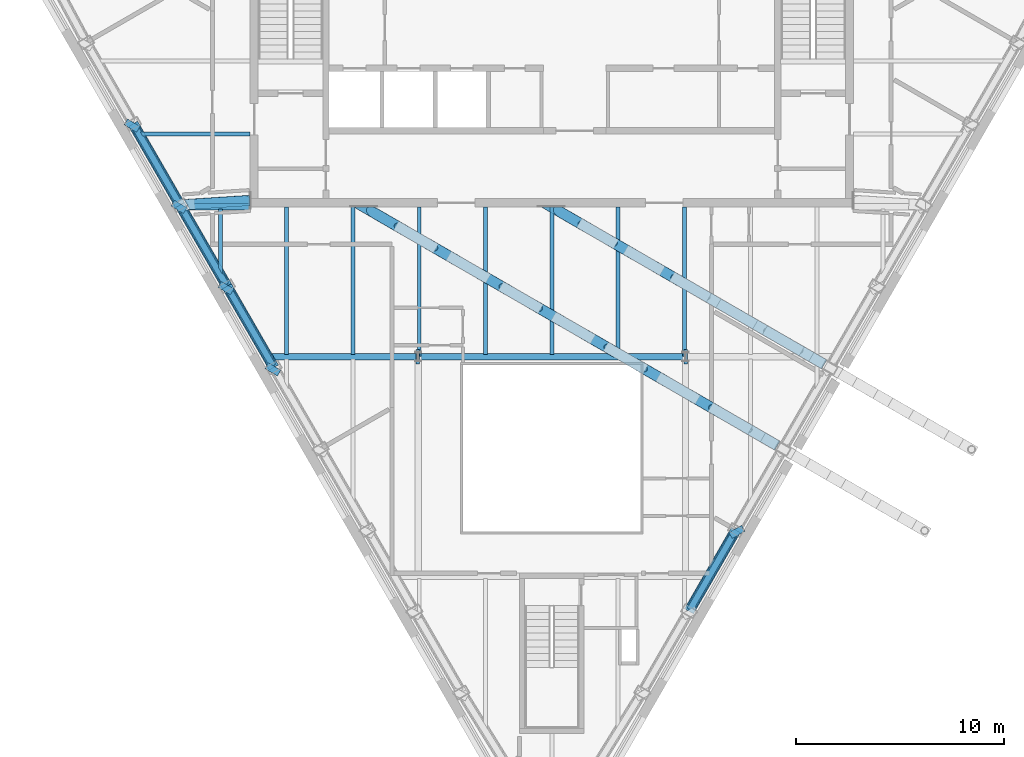
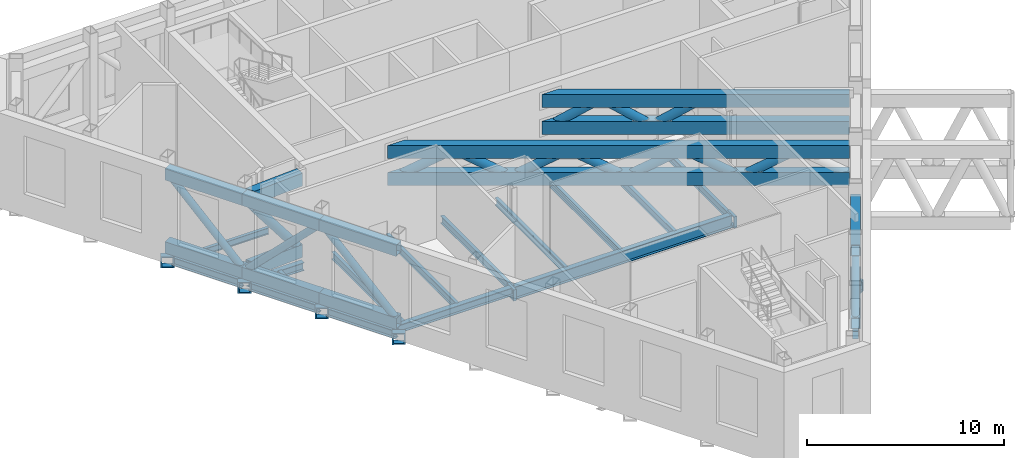
# One storey, part 3 of 14: 29 members, 23 beams.
"""IFC4 building model written with IfcOpenShell, lengths in metres."""

from ifc_helpers import new_model, si_unit, direction, frame, origin, origin_2d, place, context, subcontext, project, spatial, hollow_rectangle, hollow_circle, i_section, extrude, clip, halfspace, material, material_profile, profile_set, type_object, element, save


model = new_model("IFC4")

# Units and contexts
model_context = context("Model", 3, precision=1e-05, world=origin(), true_north=direction((0.0, 1.0)))
body_context = subcontext(model_context, "Body", "Model", "MODEL_VIEW")
ifc_project = project(units=[si_unit("LENGTHUNIT", "METRE"), si_unit("AREAUNIT", "SQUARE_METRE"), si_unit("VOLUMEUNIT", "CUBIC_METRE"), si_unit("PLANEANGLEUNIT", "RADIAN"), si_unit("MASSUNIT", "GRAM", prefix="KILO")], contexts=[model_context])

# Site, building, storey
site_placement = place(None, origin())
site = spatial("IfcSite", under=ifc_project, at=site_placement, CompositionType="ELEMENT")
building_placement = place(site_placement, origin())
building = spatial("IfcBuilding", under=site, at=building_placement, Name="Njiva Tower", CompositionType="ELEMENT")
storey_placement = place(building_placement, frame((0.0, 0.0, 292.2)))
storey = spatial("IfcBuildingStorey", under=building, at=storey_placement, Name="L67", CompositionType="ELEMENT", Elevation=292.2)

# Beams
ifc_material_1 = material(Name="Steel S355 J2", Category="steel")
ifc_material_profile_1 = material_profile(ifc_material_1, hollow_rectangle(XDim=0.7, YDim=0.7, WallThickness=0.08, at=origin_2d()), Name="BOX 700x700x80")
ifc_profile_set_1 = profile_set([ifc_material_profile_1], Name="Steel S355 J2")
beam_type_1 = type_object("IfcBeamType", Name="B19 Column jog beam BOX 700x700x80", PredefinedType="BEAM", material=ifc_profile_set_1)
for number, where, z_axis, x_axis, name in (
    (1, (-20.245, 7.759, -0.55), (0.511321392938, 0.859389570058, 0.0), (-0.859389570058, 0.511321392938, 0.0), "Column jog beam T5-B015"),
    (2, (-17.991, 3.856, -0.55), (0.511321392938, 0.859389570058, 0.0), (-0.859389570058, 0.511321392938, 0.0), "Column jog beam T5-B016"),
):
    element("IfcBeam", number, at=place(storey_placement, frame(where, z_axis=z_axis, x_axis=x_axis)), inside=storey, type_object=beam_type_1, Name=name, PredefinedType="BEAM", context=body_context, shape_type="SweptSolid", body=[
        extrude(hollow_rectangle(XDim=0.7, YDim=0.7, WallThickness=0.08, at=origin_2d()), origin(), (0.0, 0.0, 1.0), 0.3246),
    ])
beam_1_placement = place(storey_placement, frame((-15.736, -0.048, -0.55), z_axis=(0.501764157718, 0.865004468214, 0.0), x_axis=(-0.865004468214, 0.501764157718, 0.0)))
element("IfcBeam", 3, at=beam_1_placement, inside=storey, type_object=beam_type_1, Name="Column jog beam T5-B017", PredefinedType="BEAM", context=body_context, shape_type="SweptSolid", body=[
    extrude(hollow_rectangle(XDim=0.7, YDim=0.7, WallThickness=0.08, at=origin_2d()), origin(), (0.0, 0.0, 1.0), 0.3249),
])
beam_2_placement = place(storey_placement, frame((-13.482, -3.952, -0.55), z_axis=(0.498124460568, 0.867105542471, 0.0), x_axis=(-0.867105542471, 0.498124460568, 0.0)))
element("IfcBeam", 4, at=beam_2_placement, inside=storey, type_object=beam_type_1, Name="Column jog beam T5-B018", PredefinedType="BEAM", context=body_context, shape_type="SweptSolid", body=[
    extrude(hollow_rectangle(XDim=0.7, YDim=0.7, WallThickness=0.08, at=origin_2d()), origin(), (0.0, 0.0, 1.0), 0.3252),
])
beam_3_placement = place(storey_placement, frame((8.975, -11.759, -0.55), z_axis=(-0.496799306689, 0.867865455513, 0.0), x_axis=(-0.867865455513, -0.496799306689, 0.0)))
element("IfcBeam", 5, at=beam_3_placement, inside=storey, type_object=beam_type_1, Name="Column jog beam T5-B029", PredefinedType="BEAM", context=body_context, shape_type="SweptSolid", body=[
    extrude(hollow_rectangle(XDim=0.7, YDim=0.7, WallThickness=0.08, at=origin_2d()), origin(), (0.0, 0.0, 1.0), 0.3261),
])
for number, where, z_axis, x_axis, name in (
    (6, (6.53, -3.2, -0.55), (-1.0, 0.0, 0.0), (0.0, -1.0, 0.0), "Column jog beam T5-B027"),
    (7, (-6.53, -3.2, -0.55), (1.0, 0.0, 0.0), (0.0, 1.0, 0.0), "Column jog beam T5-B022"),
):
    element("IfcBeam", number, at=place(storey_placement, frame(where, z_axis=z_axis, x_axis=x_axis)), inside=storey, type_object=beam_type_1, Name=name, PredefinedType="BEAM", context=body_context, shape_type="SweptSolid", body=[
        extrude(hollow_rectangle(XDim=0.7, YDim=0.7, WallThickness=0.08, at=origin_2d()), origin(), (0.0, 0.0, 1.0), 0.17),
    ])
ifc_material_profile_2 = material_profile(ifc_material_1, i_section(OverallWidth=0.3, OverallDepth=0.49, WebThickness=0.012, FlangeThickness=0.023, at=origin_2d()), Name="HEA 500")
ifc_profile_set_2 = profile_set([ifc_material_profile_2], Name="Steel S355 J2")
beam_type_2 = type_object("IfcBeamType", Name="B48 Short-span spandrel beam HEA 500", PredefinedType="SPANDREL", material=ifc_profile_set_2)
beam_4_placement = place(storey_placement, frame((-19.96, 7.727, -0.445), z_axis=(0.500066662559, -0.865986912717, 0.0), x_axis=(0.865986912717, 0.500066662559, 0.0)))
element("IfcBeam", 8, at=beam_4_placement, inside=storey, type_object=beam_type_2, Name="Short-span spandrel beam T5-B065", PredefinedType="SPANDREL", context=body_context, shape_type="SweptSolid", body=[
    extrude(i_section(OverallWidth=0.3, OverallDepth=0.49, WebThickness=0.012, FlangeThickness=0.023, at=origin_2d()), origin(), (0.0, 0.0, 1.0), 4.1075),
])
for number, where, z_axis, x_axis, name in (
    (9, (-17.706, 3.824, -0.445), (0.499961250474, -0.866047774678, 0.0), (0.866047774678, 0.499961250474, 0.0), "Short-span spandrel beam T5-B067"),
    (10, (-15.452, -0.08, -0.445), (0.499961250474, -0.866047774678, 0.0), (0.866047774678, 0.499961250474, 0.0), "Short-span spandrel beam T5-B068"),
    (11, (6.637, -15.349, -0.445), (0.499961250474, 0.866047774678, 0.0), (-0.866047774678, 0.499961250474, 0.0), "Short-span spandrel beam T5-B082"),
):
    element("IfcBeam", number, at=place(storey_placement, frame(where, z_axis=z_axis, x_axis=x_axis)), inside=storey, type_object=beam_type_2, Name=name, PredefinedType="SPANDREL", context=body_context, shape_type="SweptSolid", body=[
        extrude(i_section(OverallWidth=0.3, OverallDepth=0.49, WebThickness=0.012, FlangeThickness=0.023, at=origin_2d()), origin(), (0.0, 0.0, 1.0), 4.1083),
    ])
ifc_material_profile_3 = material_profile(ifc_material_1, i_section(OverallWidth=0.3, OverallDepth=0.49, WebThickness=0.012, FlangeThickness=0.023, at=origin_2d()), Name="HEA 500")
ifc_profile_set_3 = profile_set([ifc_material_profile_3], Name="Steel S355 J2")
beam_type_3 = type_object("IfcBeamType", Name="B49 Floor girder HEA 500", PredefinedType="BEAM", material=ifc_profile_set_3)
beam_5_placement = place(storey_placement, frame((-13.643, -3.2, -0.445), z_axis=(1.0, 0.0, 0.0), x_axis=(0.0, 1.0, 0.0)))
element("IfcBeam", 12, at=beam_5_placement, inside=storey, type_object=beam_type_3, Name="Floor girder T5-B010", PredefinedType="BEAM", context=body_context, shape_type="Clipping", body=[
    clip(extrude(i_section(OverallWidth=0.3, OverallDepth=0.49, WebThickness=0.012, FlangeThickness=0.023, at=origin_2d()), origin(), (0.0, 0.0, 1.0), 7.223), halfspace(frame((-0.025, 0.0, 0.1217), z_axis=(-0.499998009787, 0.0, -0.866026552831), x_axis=(0.0, -1.0, 0.0)), False)),
])
ifc_material_profile_4 = material_profile(ifc_material_1, i_section(OverallWidth=0.3, OverallDepth=0.49, WebThickness=0.012, FlangeThickness=0.023, at=origin_2d()), Name="HEA 500")
ifc_profile_set_4 = profile_set([ifc_material_profile_4], Name="Steel S355 J2")
beam_type_4 = type_object("IfcBeamType", Name="B50 Short-span floor girder HEA 500", PredefinedType="BEAM", material=ifc_profile_set_4)
beam_6_placement = place(storey_placement, frame((-17.774, 4.0, -0.445), z_axis=(1.0, 0.0, 0.0), x_axis=(0.0, 1.0, 0.0)))
element("IfcBeam", 13, at=beam_6_placement, inside=storey, type_object=beam_type_4, Name="Short-span floor girder T5-B009", PredefinedType="BEAM", context=body_context, shape_type="Clipping", body=[
    clip(extrude(i_section(OverallWidth=0.3, OverallDepth=0.49, WebThickness=0.012, FlangeThickness=0.023, at=origin_2d()), origin(), (0.0, 0.0, 1.0), 3.274), halfspace(frame((-0.025, 0.0, 0.1217), z_axis=(-0.499998009787, 0.0, -0.866026552831), x_axis=(0.0, -1.0, 0.0)), False)),
])
ifc_material_profile_5 = material_profile(ifc_material_1, i_section(OverallWidth=0.18, OverallDepth=0.4, WebThickness=0.0086, FlangeThickness=0.0135, at=origin_2d()), Name="IPE 400")
ifc_profile_set_5 = profile_set([ifc_material_profile_5], Name="Steel S355 J2")
beam_type_5 = type_object("IfcBeamType", Name="B51 Floor beam to the core IPE 400", PredefinedType="BEAM", material=ifc_profile_set_5)
beam_7_placement = place(storey_placement, frame((-19.785, 7.5, -0.4), z_axis=(1.0, 0.0, 0.0), x_axis=(0.0, 1.0, 0.0)))
element("IfcBeam", 14, at=beam_7_placement, inside=storey, type_object=beam_type_5, Name="Floor beam to the core T5-B004", PredefinedType="BEAM", context=body_context, shape_type="Clipping", body=[
    clip(extrude(i_section(OverallWidth=0.18, OverallDepth=0.4, WebThickness=0.0086, FlangeThickness=0.0135, at=origin_2d()), origin(), (0.0, 0.0, 1.0), 5.285), halfspace(frame((-0.025, 0.0, 0.086), z_axis=(-0.499998009787, 0.0, -0.866026552831), x_axis=(0.0, -1.0, 0.0)), False)),
])
ifc_material_profile_6 = material_profile(ifc_material_1, i_section(OverallWidth=0.19, OverallDepth=0.45, WebThickness=0.0094, FlangeThickness=0.0146, at=origin_2d()), Name="IPE 450")
ifc_profile_set_6 = profile_set([ifc_material_profile_6], Name="Steel S355 J2")
beam_type_6 = type_object("IfcBeamType", Name="B52 Short-span floor joist IPE 450", PredefinedType="JOIST", material=ifc_profile_set_6)
beam_8_placement = place(storey_placement, frame((-15.917, 3.9, -0.425), z_axis=(0.0, -1.0, 0.0), x_axis=(1.0, 0.0, 0.0)))
element("IfcBeam", 15, at=beam_8_placement, inside=storey, type_object=beam_type_6, Name="Short-span floor joist T5-B037", PredefinedType="JOIST", context=body_context, shape_type="Clipping", body=[
    clip(extrude(i_section(OverallWidth=0.19, OverallDepth=0.45, WebThickness=0.0094, FlangeThickness=0.0146, at=origin_2d()), origin(), (0.0, 0.0, 1.0), 3.161), halfspace(frame((-0.043, 0.0, 2.9012), z_axis=(-0.866026552831, 0.0, 0.499998009787), x_axis=(0.0, 1.0, 0.0)), False)),
])
ifc_material_profile_7 = material_profile(ifc_material_1, i_section(OverallWidth=0.19, OverallDepth=0.45, WebThickness=0.0094, FlangeThickness=0.0146, at=origin_2d()), Name="IPE 450")
ifc_profile_set_7 = profile_set([ifc_material_profile_7], Name="Steel S355 J2")
beam_type_7 = type_object("IfcBeamType", Name="B53 Floor joist IPE 450", PredefinedType="JOIST", material=ifc_profile_set_7)
for number, where, z_axis, x_axis, name in (
    (16, (-12.733, 3.995, -0.425), (0.0, -1.0, 0.0), (1.0, 0.0, 0.0), "Floor joist T5-B039"),
    (17, (-9.55, 3.995, -0.425), (0.0, -1.0, 0.0), (1.0, 0.0, 0.0), "Floor joist T5-B041"),
):
    element("IfcBeam", number, at=place(storey_placement, frame(where, z_axis=z_axis, x_axis=x_axis)), inside=storey, type_object=beam_type_7, Name=name, PredefinedType="JOIST", context=body_context, shape_type="SweptSolid", body=[
        extrude(i_section(OverallWidth=0.19, OverallDepth=0.45, WebThickness=0.0094, FlangeThickness=0.0146, at=origin_2d()), origin(), (0.0, 0.0, 1.0), 7.095),
    ])
beam_9_placement = place(storey_placement, frame((-6.367, 3.995, -0.425), z_axis=(0.0, -1.0, 0.0), x_axis=(1.0, 0.0, 0.0)))
element("IfcBeam", 18, at=beam_9_placement, inside=storey, type_object=beam_type_7, Name="Floor joist T5-B043", PredefinedType="JOIST", context=body_context, shape_type="SweptSolid", body=[
    extrude(i_section(OverallWidth=0.19, OverallDepth=0.45, WebThickness=0.0094, FlangeThickness=0.0146, at=origin_2d()), origin(), (0.0, 0.0, 1.0), 7.195),
])
for number, where, z_axis, x_axis, name in (
    (19, (-3.183, 3.995, -0.425), (0.0, -1.0, 0.0), (1.0, 0.0, 0.0), "Floor joist T5-B045"),
    (20, (0.0, 3.995, -0.425), (0.0, -1.0, 0.0), (1.0, 0.0, 0.0), "Floor joist T5-B047"),
    (21, (3.183, 3.995, -0.425), (0.0, -1.0, 0.0), (1.0, 0.0, 0.0), "Floor joist T5-B049"),
):
    element("IfcBeam", number, at=place(storey_placement, frame(where, z_axis=z_axis, x_axis=x_axis)), inside=storey, type_object=beam_type_7, Name=name, PredefinedType="JOIST", context=body_context, shape_type="SweptSolid", body=[
        extrude(i_section(OverallWidth=0.19, OverallDepth=0.45, WebThickness=0.0094, FlangeThickness=0.0146, at=origin_2d()), origin(), (0.0, 0.0, 1.0), 7.095),
    ])
beam_10_placement = place(storey_placement, frame((6.367, 3.995, -0.425), z_axis=(0.0, -1.0, 0.0), x_axis=(1.0, 0.0, 0.0)))
element("IfcBeam", 22, at=beam_10_placement, inside=storey, type_object=beam_type_7, Name="Floor joist T5-B051", PredefinedType="JOIST", context=body_context, shape_type="SweptSolid", body=[
    extrude(i_section(OverallWidth=0.19, OverallDepth=0.45, WebThickness=0.0094, FlangeThickness=0.0146, at=origin_2d()), origin(), (0.0, 0.0, 1.0), 7.195),
])
ifc_material_profile_8 = material_profile(ifc_material_1, i_section(OverallWidth=0.3, OverallDepth=0.79, WebThickness=0.015, FlangeThickness=0.028, at=origin_2d()), Name="HEA 800")
ifc_profile_set_8 = profile_set([ifc_material_profile_8], Name="Steel S355 J2")
beam_type_8 = type_object("IfcBeamType", Name="B9 Long-span atrium trimmer beam HEA 800", PredefinedType="BEAM", material=ifc_profile_set_8)
beam_11_placement = place(storey_placement, frame((6.42, -3.2, -0.595), z_axis=(-1.0, 0.0, 0.0), x_axis=(0.0, -1.0, 0.0)))
element("IfcBeam", 23, at=beam_11_placement, inside=storey, type_object=beam_type_8, Name="Long-span atrium trimmer beam T5-B059", PredefinedType="BEAM", context=body_context, shape_type="SweptSolid", body=[
    extrude(i_section(OverallWidth=0.3, OverallDepth=0.79, WebThickness=0.015, FlangeThickness=0.028, at=origin_2d()), origin(), (0.0, 0.0, 1.0), 12.84),
])

# Members
ifc_material_profile_9 = material_profile(ifc_material_1, hollow_rectangle(XDim=0.5, YDim=0.8, WallThickness=0.05, at=origin_2d()), Name="BOX 800x500x50")
ifc_profile_set_9 = profile_set([ifc_material_profile_9], Name="Steel S355 J2")
member_type_1 = type_object("IfcMemberType", Name="OR1 Outrigger truss chord BOX 800x500x50", PredefinedType="CHORD", material=ifc_profile_set_9)
for number, where, z_axis, x_axis, name in (
    (24, (-14.5, 4.3, 0.4), (-0.997916054553, -0.064525561334, 0.0), (0.064525561334, -0.997916054553, 0.0), "Outrigger truss chord T5-TR100"),
    (25, (-14.5, 4.3, 4.81), (-0.997916054553, -0.064525561334, 0.0), (0.064525561334, -0.997916054553, 0.0), "Outrigger truss chord T5-TR101"),
):
    element("IfcMember", number, at=place(storey_placement, frame(where, z_axis=z_axis, x_axis=x_axis)), inside=storey, type_object=member_type_1, Name=name, PredefinedType="CHORD", context=body_context, shape_type="Clipping", body=[
        clip(extrude(hollow_rectangle(XDim=0.5, YDim=0.8, WallThickness=0.05, at=origin_2d()), origin(), (0.0, 0.0, 1.0), 3.517), halfspace(frame((0.0221, 0.0, 3.0174), z_axis=(0.443075191759, 0.0, 0.896484452987), x_axis=(0.0, 1.0, 0.0)), False)),
    ])
ifc_material_2 = material(Name="Steel S355 J2H", Category="steel")
ifc_material_profile_10 = material_profile(ifc_material_2, hollow_circle(Radius=0.254, WallThickness=0.016, at=origin_2d()), Name="CHS 508x16")
ifc_profile_set_10 = profile_set([ifc_material_profile_10], Name="Steel S355 J2H")
member_type_2 = type_object("IfcMemberType", Name="OR2 Outrigger truss diagonal CHS 508x16", PredefinedType="BRACE", material=ifc_profile_set_10)
member_1_placement = place(storey_placement, frame((-14.2791, 4.3143, 0.1098), z_axis=(-0.605122686621, -0.03912742044, 0.795170157329), x_axis=(0.064525561334, -0.997916054553, 0.0)))
element("IfcMember", 26, at=member_1_placement, inside=storey, type_object=member_type_2, Name="Outrigger truss diagonal T5-TR102", PredefinedType="BRACE", context=body_context, shape_type="Clipping", body=[
    clip(clip(clip(clip(extrude(hollow_circle(Radius=0.254, WallThickness=0.016, at=origin_2d()), origin(), (0.0, 0.0, 1.0), 6.335), halfspace(frame((5.2267, 11.5218, -7.9309), z_axis=(0.0, -0.60638636272, -0.795170157329), x_axis=(0.0, -0.795170157329, 0.60638636272)), False)), halfspace(frame((0.0, -177.4286, -232.3018), z_axis=(0.064525561334, 0.7935130661, -0.605122686621), x_axis=(0.0, -0.60638636272, -0.795170157329)), False)), halfspace(frame((5.2267, 13.723, -5.0444), z_axis=(0.0, 0.60638636272, 0.795170157329), x_axis=(0.0, 0.795170157329, -0.60638636272)), False)), halfspace(frame((0.0221, 0.2748, 5.7014), z_axis=(0.443075191759, -0.712857683525, 0.543615946682), x_axis=(0.0, 0.60638636272, 0.795170157329)), False)),
])
ifc_material_profile_11 = material_profile(ifc_material_1, hollow_rectangle(XDim=0.5, YDim=0.7, WallThickness=0.04, at=origin_2d()), Name="BOX 700x500x40")
ifc_profile_set_11 = profile_set([ifc_material_profile_11], Name="Steel S355 J2")
member_type_3 = type_object("IfcMemberType", Name="TC2 Belt truss chord BOX 700x500x40", PredefinedType="CHORD", material=ifc_profile_set_11)
for number, where, z_axis, x_axis, name in (
    (27, (-20.11, 7.986, 0.35), (0.50010015525, -0.865967571402, 0.0), (0.865967571402, 0.50010015525, 0.0), "Belt truss chord T5-TR040"),
    (28, (-20.11, 7.986, 4.86), (0.50010015525, -0.865967571402, 0.0), (0.865967571402, 0.50010015525, 0.0), "Belt truss chord T5-TR041"),
):
    element("IfcMember", number, at=place(storey_placement, frame(where, z_axis=z_axis, x_axis=x_axis)), inside=storey, type_object=member_type_3, Name=name, PredefinedType="CHORD", context=body_context, shape_type="SweptSolid", body=[
        extrude(hollow_rectangle(XDim=0.5, YDim=0.7, WallThickness=0.04, at=origin_2d()), origin(), (0.0, 0.0, 1.0), 4.5071),
    ])
for number, where, z_axis, x_axis, name in (
    (29, (-17.856, 4.083, 0.35), (0.50002983664, -0.866008176907, 0.0), (0.866008176907, 0.50002983664, 0.0), "Belt truss chord T5-TR043"),
    (30, (-17.856, 4.083, 4.86), (0.50002983664, -0.866008176907, 0.0), (0.866008176907, 0.50002983664, 0.0), "Belt truss chord T5-TR044"),
):
    element("IfcMember", number, at=place(storey_placement, frame(where, z_axis=z_axis, x_axis=x_axis)), inside=storey, type_object=member_type_3, Name=name, PredefinedType="CHORD", context=body_context, shape_type="SweptSolid", body=[
        extrude(hollow_rectangle(XDim=0.5, YDim=0.7, WallThickness=0.04, at=origin_2d()), origin(), (0.0, 0.0, 1.0), 4.5057),
    ])
for number, where, z_axis, x_axis, name in (
    (31, (-15.603, 0.181, 0.35), (0.499933745558, -0.866063652425, 0.0), (0.866063652425, 0.499933745558, 0.0), "Belt truss chord T5-TR046"),
    (32, (-15.603, 0.181, 4.86), (0.499933745558, -0.866063652425, 0.0), (0.866063652425, 0.499933745558, 0.0), "Belt truss chord T5-TR047"),
    (33, (6.59, -15.431, 0.35), (0.499933745558, 0.866063652425, 0.0), (-0.866063652425, 0.499933745558, 0.0), "Belt truss chord T5-TR073"),
    (34, (6.59, -15.431, 4.86), (0.499933745558, 0.866063652425, 0.0), (-0.866063652425, 0.499933745558, 0.0), "Belt truss chord T5-TR074"),
):
    element("IfcMember", number, at=place(storey_placement, frame(where, z_axis=z_axis, x_axis=x_axis)), inside=storey, type_object=member_type_3, Name=name, PredefinedType="CHORD", context=body_context, shape_type="SweptSolid", body=[
        extrude(hollow_rectangle(XDim=0.5, YDim=0.7, WallThickness=0.04, at=origin_2d()), origin(), (0.0, 0.0, 1.0), 4.5066),
    ])
ifc_material_profile_12 = material_profile(ifc_material_1, hollow_rectangle(XDim=0.5, YDim=0.8, WallThickness=0.05, at=origin_2d()), Name="BOX 800x500x50")
ifc_profile_set_12 = profile_set([ifc_material_profile_12], Name="Steel S355 J2")
member_type_4 = type_object("IfcMemberType", Name="TC5 Pool long back-span truss chord BOX 800x500x50", PredefinedType="CHORD", material=ifc_profile_set_12)
member_2_placement = place(storey_placement, frame((11.122, -7.64, 3.15), z_axis=(-0.866024429177, 0.500001688065, 0.0), x_axis=(-0.500001688065, -0.866024429177, 0.0)))
element("IfcMember", 35, at=member_2_placement, inside=storey, type_object=member_type_4, Name="Pool long back-span truss chord T5-TR112", PredefinedType="CHORD", context=body_context, shape_type="Clipping", body=[
    clip(clip(extrude(hollow_rectangle(XDim=0.5, YDim=0.8, WallThickness=0.05, at=origin_2d()), origin(), (0.0, 0.0, 1.0), 24.0029), halfspace(frame((0.0, 0.0, 0.33), z_axis=(-4.247309e-06, 0.0, -0.999999999991), x_axis=(0.0, -1.0, 0.0)), False)), halfspace(frame((0.0, -295.35, 23.2799), z_axis=(-0.866024429177, 0.0, 0.500001688065), x_axis=(0.0, 1.0, 0.0)), False)),
])
member_3_placement = place(storey_placement, frame((11.122, -7.64, 4.81), z_axis=(-0.866024429177, 0.500001688065, 0.0), x_axis=(-0.500001688065, -0.866024429177, 0.0)))
element("IfcMember", 36, at=member_3_placement, inside=storey, type_object=member_type_4, Name="Pool long back-span truss chord T5-TR113", PredefinedType="CHORD", context=body_context, shape_type="Clipping", body=[
    clip(clip(extrude(hollow_rectangle(XDim=0.5, YDim=0.8, WallThickness=0.05, at=origin_2d()), origin(), (0.0, 0.0, 1.0), 24.0029), halfspace(frame((0.0, 0.0, 0.33), z_axis=(-4.247309e-06, 0.0, -0.999999999991), x_axis=(0.0, -1.0, 0.0)), False)), halfspace(frame((0.0, -297.01, 23.2799), z_axis=(-0.866024429177, 0.0, 0.500001688065), x_axis=(0.0, 1.0, 0.0)), False)),
])
member_4_placement = place(storey_placement, frame((13.376, -3.737, 3.15), z_axis=(-0.866043267704, 0.499969057507, 0.0), x_axis=(-0.499969057507, -0.866043267704, 0.0)))
element("IfcMember", 37, at=member_4_placement, inside=storey, type_object=member_type_4, Name="Pool long back-span truss chord T5-TR129", PredefinedType="CHORD", context=body_context, shape_type="Clipping", body=[
    clip(clip(extrude(hollow_rectangle(XDim=0.5, YDim=0.8, WallThickness=0.05, at=origin_2d()), origin(), (0.0, 0.0, 1.0), 16.198), halfspace(frame((0.0, 0.0, 0.33), z_axis=(3.3430846e-05, 0.0, -0.999999999441), x_axis=(0.0, -1.0, 0.0)), False)), halfspace(frame((-0.0001, -295.35, 15.4748), z_axis=(-0.866043267704, 0.0, 0.499969057507), x_axis=(0.0, 1.0, 0.0)), False)),
])
member_5_placement = place(storey_placement, frame((13.376, -3.737, 4.81), z_axis=(-0.866043267704, 0.499969057507, 0.0), x_axis=(-0.499969057507, -0.866043267704, 0.0)))
element("IfcMember", 38, at=member_5_placement, inside=storey, type_object=member_type_4, Name="Pool long back-span truss chord T5-TR130", PredefinedType="CHORD", context=body_context, shape_type="Clipping", body=[
    clip(clip(extrude(hollow_rectangle(XDim=0.5, YDim=0.8, WallThickness=0.05, at=origin_2d()), origin(), (0.0, 0.0, 1.0), 16.198), halfspace(frame((0.0, 0.0, 0.33), z_axis=(3.3430846e-05, 0.0, -0.999999999441), x_axis=(0.0, -1.0, 0.0)), False)), halfspace(frame((-0.0001, -297.01, 15.4748), z_axis=(-0.866043267704, 0.0, 0.499969057507), x_axis=(0.0, 1.0, 0.0)), False)),
])
ifc_material_profile_13 = material_profile(ifc_material_2, hollow_circle(Radius=0.2032, WallThickness=0.016, at=origin_2d()), Name="CHS 406.4x16")
ifc_profile_set_13 = profile_set([ifc_material_profile_13], Name="Steel S355 J2H")
member_type_5 = type_object("IfcMemberType", Name="TD2 Belt truss diagonal CHS 406.4x16", PredefinedType="BRACE", material=ifc_profile_set_13)
member_6_placement = place(storey_placement, frame((-20.1931, 8.1299, 5.0262), z_axis=(0.353510352654, -0.612134386162, -0.707334379091), x_axis=(0.865967571402, 0.50010015525, 0.0)))
element("IfcMember", 39, at=member_6_placement, inside=storey, type_object=member_type_5, Name="Belt truss diagonal T5-TR042", PredefinedType="BRACE", context=body_context, shape_type="Clipping", body=[
    clip(clip(extrude(hollow_circle(Radius=0.2032, WallThickness=0.016, at=origin_2d()), origin(), (0.0, 0.0, 1.0), 6.8461), halfspace(frame((13.4208, 11.765, 12.4731), z_axis=(0.0, 0.706879110001, -0.707334379091), x_axis=(0.0, -0.707334379091, -0.706879110001)), False)), halfspace(frame((13.4208, 9.0576, 15.1822), z_axis=(0.0, -0.706879110001, 0.707334379091), x_axis=(0.0, 0.707334379091, 0.706879110001)), False)),
])
member_7_placement = place(storey_placement, frame((-17.9391, 4.2268, 0.1838), z_axis=(0.353407034165, -0.612070238487, 0.707441510912), x_axis=(0.866008176907, 0.50002983664, 0.0)))
element("IfcMember", 40, at=member_7_placement, inside=storey, type_object=member_type_5, Name="Belt truss diagonal T5-TR045", PredefinedType="BRACE", context=body_context, shape_type="Clipping", body=[
    clip(clip(extrude(hollow_circle(Radius=0.2032, WallThickness=0.016, at=origin_2d()), origin(), (0.0, 0.0, 1.0), 6.8451), halfspace(frame((13.4218, -8.5776, 9.285), z_axis=(0.0, -0.706771892932, -0.707441510912), x_axis=(0.0, -0.707441510912, 0.706771892932)), False)), halfspace(frame((13.4218, -5.8706, 11.9945), z_axis=(0.0, 0.706771892932, 0.707441510912), x_axis=(0.0, 0.707441510912, -0.706771892932)), False)),
])
member_8_placement = place(storey_placement, frame((-15.686, 0.3249, 5.0262), z_axis=(0.353373104189, -0.612168320306, -0.707373590721), x_axis=(0.866063652425, 0.499933745558, 0.0)))
element("IfcMember", 41, at=member_8_placement, inside=storey, type_object=member_type_5, Name="Belt truss diagonal T5-TR048", PredefinedType="BRACE", context=body_context, shape_type="Clipping", body=[
    clip(clip(extrude(hollow_circle(Radius=0.2032, WallThickness=0.016, at=origin_2d()), origin(), (0.0, 0.0, 1.0), 6.8457), halfspace(frame((13.4227, 5.3884, 6.1), z_axis=(0.0, 0.70683987094, -0.707373590721), x_axis=(0.0, -0.707373590721, -0.70683987094)), False)), halfspace(frame((13.4227, 2.6812, 8.8092), z_axis=(0.0, -0.70683987094, 0.707373590721), x_axis=(0.0, 0.707373590721, 0.70683987094)), False)),
])
member_9_placement = place(storey_placement, frame((6.507, -15.5749, 0.1838), z_axis=(0.353373104189, 0.612168320306, 0.707373590721), x_axis=(-0.866063652425, 0.499933745558, 0.0)))
element("IfcMember", 42, at=member_9_placement, inside=storey, type_object=member_type_5, Name="Belt truss diagonal T5-TR075", PredefinedType="BRACE", context=body_context, shape_type="Clipping", body=[
    clip(clip(extrude(hollow_circle(Radius=0.2032, WallThickness=0.016, at=origin_2d()), origin(), (0.0, 0.0, 1.0), 6.8457), halfspace(frame((13.4218, -6.8827, 7.5931), z_axis=(0.0, -0.70683987094, -0.707373590721), x_axis=(0.0, -0.707373590721, 0.70683987094)), False)), halfspace(frame((13.4218, -4.1755, 10.3024), z_axis=(0.0, 0.70683987094, 0.707373590721), x_axis=(0.0, 0.707373590721, -0.70683987094)), False)),
])
ifc_material_profile_14 = material_profile(ifc_material_2, hollow_circle(Radius=0.254, WallThickness=0.016, at=origin_2d()), Name="CHS 508x16")
ifc_profile_set_14 = profile_set([ifc_material_profile_14], Name="Steel S355 J2H")
member_type_6 = type_object("IfcMemberType", Name="TD5 Pool long back-span truss diagonal CHS 508x16", PredefinedType="BRACE", material=ifc_profile_set_14)
member_10_placement = place(storey_placement, frame((8.9369, -6.3787, 5.0461), z_axis=(-0.751897320416, 0.434223691003, -0.49608487754), x_axis=(-0.500099824602, -0.865967762352, 0.0)))
element("IfcMember", 43, at=member_10_placement, inside=storey, type_object=member_type_6, Name="Pool long back-span truss diagonal T5-TR115", PredefinedType="BRACE", context=body_context, shape_type="Clipping", body=[
    clip(clip(extrude(hollow_circle(Radius=0.254, WallThickness=0.016, at=origin_2d()), origin(), (0.0, 0.0, 1.0), 4.2982), halfspace(frame((-1.0544, 4.8781, 9.8), z_axis=(0.0, 0.868274031787, -0.49608487754), x_axis=(0.0, -0.49608487754, -0.868274031787)), False)), halfspace(frame((-1.0544, 4.114, 10.2366), z_axis=(0.0, -0.868274031787, 0.49608487754), x_axis=(0.0, 0.49608487754, 0.868274031787)), False)),
])
member_11_placement = place(storey_placement, frame((6.421, -4.9256, 2.9139), z_axis=(-0.75202717032, 0.434126133681, 0.495973421824), x_axis=(-0.499950805595, -0.866053804324, 0.0)))
element("IfcMember", 44, at=member_11_placement, inside=storey, type_object=member_type_6, Name="Pool long back-span truss diagonal T5-TR116", PredefinedType="BRACE", context=body_context, shape_type="Clipping", body=[
    clip(clip(extrude(hollow_circle(Radius=0.254, WallThickness=0.016, at=origin_2d()), origin(), (0.0, 0.0, 1.0), 4.299), halfspace(frame((-1.0557, -3.4358, 7.2776), z_axis=(0.0, -0.868337702075, -0.495973421824), x_axis=(0.0, -0.495973421824, 0.868337702075)), False)), halfspace(frame((-1.0557, -2.6716, 7.7141), z_axis=(0.0, 0.868337702075, 0.495973421824), x_axis=(0.0, 0.495973421824, -0.868337702075)), False)),
])
member_12_placement = place(storey_placement, frame((3.904, -3.4726, 5.0461), z_axis=(-0.75202717032, 0.434126133681, -0.495973421824), x_axis=(-0.499950805595, -0.866053804324, 0.0)))
element("IfcMember", 45, at=member_12_placement, inside=storey, type_object=member_type_6, Name="Pool long back-span truss diagonal T5-TR117", PredefinedType="BRACE", context=body_context, shape_type="Clipping", body=[
    clip(clip(extrude(hollow_circle(Radius=0.254, WallThickness=0.016, at=origin_2d()), origin(), (0.0, 0.0, 1.0), 4.299), halfspace(frame((-1.0557, 1.9943, 4.754), z_axis=(0.0, 0.868337702075, -0.495973421824), x_axis=(0.0, -0.495973421824, -0.868337702075)), False)), halfspace(frame((-1.0557, 1.2302, 5.1904), z_axis=(0.0, -0.868337702075, 0.495973421824), x_axis=(0.0, 0.495973421824, 0.868337702075)), False)),
])
member_13_placement = place(storey_placement, frame((1.3869, -2.0198, 2.9139), z_axis=(-0.751929611917, 0.434368556109, 0.495909080565), x_axis=(-0.500208817256, -0.865904809514, 0.0)))
element("IfcMember", 46, at=member_13_placement, inside=storey, type_object=member_type_6, Name="Pool long back-span truss diagonal T5-TR118", PredefinedType="BRACE", context=body_context, shape_type="Clipping", body=[
    clip(clip(extrude(hollow_circle(Radius=0.254, WallThickness=0.016, at=origin_2d()), origin(), (0.0, 0.0, 1.0), 4.2994), halfspace(frame((-1.0552, -0.5529, 2.2307), z_axis=(0.0, -0.868374449079, -0.495909080565), x_axis=(0.0, -0.495909080565, 0.868374449079)), False)), halfspace(frame((-1.0552, 0.2112, 2.6671), z_axis=(0.0, 0.868374449079, 0.495909080565), x_axis=(0.0, 0.495909080565, -0.868374449079)), False)),
])
member_14_placement = place(storey_placement, frame((-1.13, -0.5656, 5.0461), z_axis=(-0.75202717032, 0.434126133681, -0.495973421824), x_axis=(-0.499950805595, -0.866053804324, 0.0)))
element("IfcMember", 47, at=member_14_placement, inside=storey, type_object=member_type_6, Name="Pool long back-span truss diagonal T5-TR119", PredefinedType="BRACE", context=body_context, shape_type="Clipping", body=[
    clip(clip(extrude(hollow_circle(Radius=0.254, WallThickness=0.016, at=origin_2d()), origin(), (0.0, 0.0, 1.0), 4.299), halfspace(frame((-1.0548, -0.8888, -0.2937), z_axis=(0.0, 0.868337702075, -0.495973421824), x_axis=(0.0, -0.495973421824, -0.868337702075)), False)), halfspace(frame((-1.0548, -1.6529, 0.1427), z_axis=(0.0, -0.868337702075, 0.495973421824), x_axis=(0.0, 0.495973421824, 0.868337702075)), False)),
])
member_15_placement = place(storey_placement, frame((-3.647, 0.8874, 2.9139), z_axis=(-0.75202717032, 0.434126133681, 0.495973421824), x_axis=(-0.499950805595, -0.866053804324, 0.0)))
element("IfcMember", 48, at=member_15_placement, inside=storey, type_object=member_type_6, Name="Pool long back-span truss diagonal T5-TR120", PredefinedType="BRACE", context=body_context, shape_type="Clipping", body=[
    clip(clip(extrude(hollow_circle(Radius=0.254, WallThickness=0.016, at=origin_2d()), origin(), (0.0, 0.0, 1.0), 4.299), halfspace(frame((-1.0548, 2.3302, -2.8174), z_axis=(0.0, -0.868337702075, -0.495973421824), x_axis=(0.0, -0.495973421824, 0.868337702075)), False)), halfspace(frame((-1.0548, 3.0944, -2.3809), z_axis=(0.0, 0.868337702075, 0.495973421824), x_axis=(0.0, 0.495973421824, -0.868337702075)), False)),
])
member_16_placement = place(storey_placement, frame((-6.164, 2.3404, 5.0461), z_axis=(-0.75202717032, 0.434126133681, -0.495973421824), x_axis=(-0.499950805595, -0.866053804324, 0.0)))
element("IfcMember", 49, at=member_16_placement, inside=storey, type_object=member_type_6, Name="Pool long back-span truss diagonal T5-TR121", PredefinedType="BRACE", context=body_context, shape_type="Clipping", body=[
    clip(clip(clip(extrude(hollow_circle(Radius=0.254, WallThickness=0.016, at=origin_2d()), origin(), (0.0, 0.0, 1.0), 4.382), halfspace(frame((-1.0548, -3.7717, -5.341), z_axis=(0.0, 0.868337702075, -0.495973421824), x_axis=(0.0, -0.495973421824, -0.868337702075)), False)), halfspace(frame((-1.0548, -4.5358, -4.9046), z_axis=(0.0, -0.868337702075, 0.495973421824), x_axis=(0.0, 0.495973421824, 0.868337702075)), False)), halfspace(frame((0.0, -256.4635, 150.3087), z_axis=(-0.866053804324, 0.247962311795, 0.434126133681), x_axis=(0.0, 0.868337702075, -0.495973421824)), False)),
])
member_17_placement = place(storey_placement, frame((6.9713, -0.0396, 5.0403), z_axis=(-0.727778393515, 0.420211212406, -0.541997367983), x_axis=(-0.500025132165, -0.866010893236, 0.0)))
element("IfcMember", 50, at=member_17_placement, inside=storey, type_object=member_type_6, Name="Pool long back-span truss diagonal T5-TR134", PredefinedType="BRACE", context=body_context, shape_type="Clipping", body=[
    clip(clip(extrude(hollow_circle(Radius=0.254, WallThickness=0.016, at=origin_2d()), origin(), (0.0, 0.0, 1.0), 3.9127), halfspace(frame((3.4515, 2.7616, 5.4264), z_axis=(0.0, 0.840380183666, -0.541997367983), x_axis=(0.0, -0.541997367983, -0.840380183666)), False)), halfspace(frame((3.4515, 2.022, 5.9034), z_axis=(0.0, -0.840380183666, 0.541997367983), x_axis=(0.0, 0.541997367983, 0.840380183666)), False)),
])
member_18_placement = place(storey_placement, frame((4.7424, 1.2475, 2.9197), z_axis=(-0.727931906435, 0.420111373804, 0.541868594028), x_axis=(-0.49985693963, -0.866107983974, 0.0)))
element("IfcMember", 51, at=member_18_placement, inside=storey, type_object=member_type_6, Name="Pool long back-span truss diagonal T5-TR135", PredefinedType="BRACE", context=body_context, shape_type="Clipping", body=[
    clip(clip(extrude(hollow_circle(Radius=0.254, WallThickness=0.016, at=origin_2d()), origin(), (0.0, 0.0, 1.0), 3.9135), halfspace(frame((3.4509, -1.3665, 3.2642), z_axis=(0.0, -0.840463221567, -0.541868594028), x_axis=(0.0, -0.541868594028, 0.840463221567)), False)), halfspace(frame((3.4509, -0.6269, 3.741), z_axis=(0.0, 0.840463221567, 0.541868594028), x_axis=(0.0, 0.541868594028, -0.840463221567)), False)),
])
member_19_placement = place(storey_placement, frame((2.5123, 2.5344, 5.0403), z_axis=(-0.727778393515, 0.420211212406, -0.541997367983), x_axis=(-0.500025132165, -0.866010893236, 0.0)))
element("IfcMember", 52, at=member_19_placement, inside=storey, type_object=member_type_6, Name="Pool long back-span truss diagonal T5-TR136", PredefinedType="BRACE", context=body_context, shape_type="Clipping", body=[
    clip(clip(clip(extrude(hollow_circle(Radius=0.254, WallThickness=0.016, at=origin_2d()), origin(), (0.0, 0.0, 1.0), 4.0687), halfspace(frame((3.451, -0.029, 1.0996), z_axis=(0.0, 0.840380183666, -0.541997367983), x_axis=(0.0, -0.541997367983, -0.840380183666)), False)), halfspace(frame((3.451, -0.7685, 1.5766), z_axis=(0.0, -0.840380183666, 0.541997367983), x_axis=(0.0, 0.541997367983, 0.840380183666)), False)), halfspace(frame((-0.0001, -248.2064, 163.5665), z_axis=(-0.866010893236, 0.271012305559, 0.420211212406), x_axis=(0.0, 0.840380183666, -0.541997367983)), False)),
])

save(model, "model.ifc")
